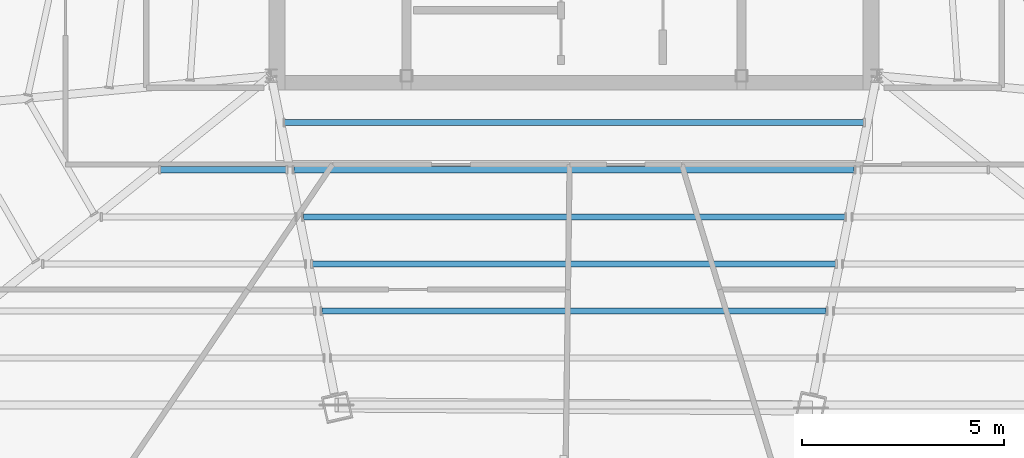
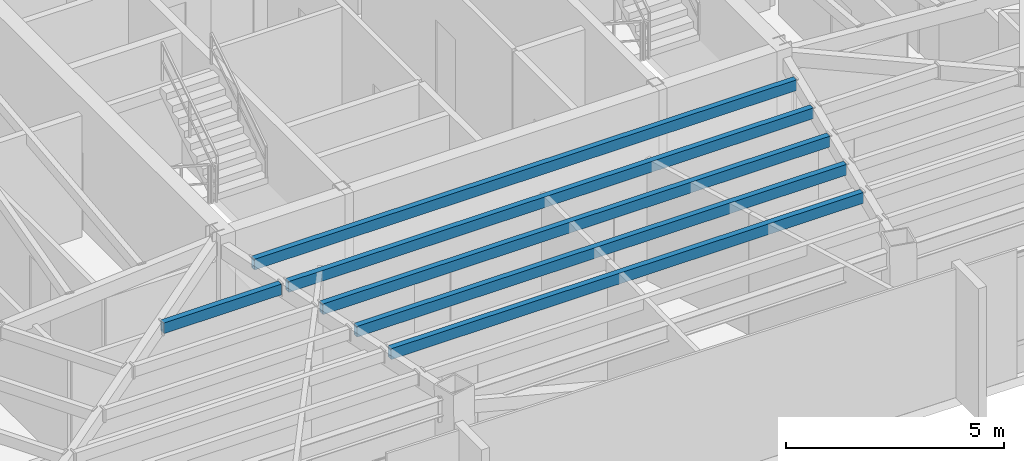
# One storey, part 16 of 47: 6 beams.
"""IFC4 building model written with IfcOpenShell, lengths in metres."""

from ifc_helpers import new_model, si_unit, direction, frame, origin, origin_2d, place, context, subcontext, project, spatial, hollow_rectangle, extrude, source, transform, mapped, material, material_profile, profile_set, type_object, type_shapes, element, save


model = new_model("IFC4")

# Units and contexts
model_context = context("Model", 3, precision=1e-05, world=origin(), true_north=direction((0.0, 1.0)))
body_context = subcontext(model_context, "Body", "Model", "MODEL_VIEW")
ifc_project = project(units=[si_unit("LENGTHUNIT", "METRE"), si_unit("AREAUNIT", "SQUARE_METRE"), si_unit("VOLUMEUNIT", "CUBIC_METRE"), si_unit("PLANEANGLEUNIT", "RADIAN"), si_unit("MASSUNIT", "GRAM", prefix="KILO")], contexts=[model_context])

# Site, building, storey
site_placement = place(None, origin())
site = spatial("IfcSite", under=ifc_project, at=site_placement, CompositionType="ELEMENT")
building_placement = place(site_placement, origin())
building = spatial("IfcBuilding", under=site, at=building_placement, Name="Caelisora Broadcast Tower", CompositionType="ELEMENT")
storey_placement = place(building_placement, frame((0.0, 0.0, 248.10009765625)))
storey = spatial("IfcBuildingStorey", under=building, at=storey_placement, Name="L65", CompositionType="ELEMENT", Elevation=248.10009765625)

# Beams
ifc_material = material(Name="Steel Grade 350 (AS/NZS 1163 C350L0)", Category="steel")
ifc_material_profile = material_profile(ifc_material, hollow_rectangle(XDim=0.14990234375, YDim=0.300048828125, WallThickness=0.010009765625, at=origin_2d()), Name="Steel Grade 350 (AS/NZS 1163 C350L0)")
ifc_profile_set = profile_set([ifc_material_profile], Name="Steel Grade 350 (AS/NZS 1163 C350L0)")
beam_type = type_object("IfcBeamType", Name="SB05", PredefinedType="JOIST", material=ifc_profile_set)
shared_shape_1 = source(origin(), body_context, "Body", "SweptSolid", [
    extrude(hollow_rectangle(XDim=0.14990234375, YDim=0.300048828125, WallThickness=0.010009765625, at=origin_2d()), origin(), (0.0, 0.0, 1.0), 3.1064453125),
])
beam_1_placement = place(storey_placement, frame((27.75634765625, 15.068603515625, 3.25), z_axis=(1.0, 0.0, 0.0), x_axis=(0.0, 1.0, 0.0)))
element("IfcBeam", 1, at=beam_1_placement, inside=storey, type_object=beam_type, Name="L65 beam SB05", PredefinedType="JOIST", context=body_context, shape_type="MappedRepresentation", body=[
    mapped(shared_shape_1, transform((0.0, 0.0, 0.0), scale=1.0)),
])
shared_shape_2 = source(origin(), body_context, "Body", "SweptSolid", [
    extrude(hollow_rectangle(XDim=0.14990234375, YDim=0.300048828125, WallThickness=0.010009765625, at=origin_2d()), origin(), (0.0, 0.0, 1.0), 14.34033203125),
])
beam_2_placement = place(storey_placement, frame((30.829833984375, 16.234375, 3.25), z_axis=(1.0, 0.0, 0.0), x_axis=(0.0, 1.0, 0.0)))
element("IfcBeam", 2, at=beam_2_placement, inside=storey, type_object=beam_type, Name="L65 beam SB05", PredefinedType="JOIST", context=body_context, shape_type="MappedRepresentation", body=[
    mapped(shared_shape_2, transform((0.0, 0.0, 0.0), scale=1.0)),
])
shared_shape_3 = source(origin(), body_context, "Body", "SweptSolid", [
    extrude(hollow_rectangle(XDim=0.14990234375, YDim=0.300048828125, WallThickness=0.010009765625, at=origin_2d()), origin(), (0.0, 0.0, 1.0), 13.87841796875),
])
beam_3_placement = place(storey_placement, frame((31.060791015625, 15.068603515625, 3.25), z_axis=(1.0, 0.0, 0.0), x_axis=(0.0, 1.0, 0.0)))
element("IfcBeam", 3, at=beam_3_placement, inside=storey, type_object=beam_type, Name="L65 beam SB05", PredefinedType="JOIST", context=body_context, shape_type="MappedRepresentation", body=[
    mapped(shared_shape_3, transform((0.0, 0.0, 0.0), scale=1.0)),
])
shared_shape_4 = source(origin(), body_context, "Body", "SweptSolid", [
    extrude(hollow_rectangle(XDim=0.14990234375, YDim=0.300048828125, WallThickness=0.010009765625, at=origin_2d()), origin(), (0.0, 0.0, 1.0), 13.4169921875),
])
beam_4_placement = place(storey_placement, frame((31.29150390625, 13.90283203125, 3.25), z_axis=(1.0, 0.0, 0.0), x_axis=(0.0, 1.0, 0.0)))
element("IfcBeam", 4, at=beam_4_placement, inside=storey, type_object=beam_type, Name="L65 beam SB05", PredefinedType="JOIST", context=body_context, shape_type="MappedRepresentation", body=[
    mapped(shared_shape_4, transform((0.0, 0.0, 0.0), scale=1.0)),
])
shared_shape_5 = source(origin(), body_context, "Body", "SweptSolid", [
    extrude(hollow_rectangle(XDim=0.14990234375, YDim=0.300048828125, WallThickness=0.010009765625, at=origin_2d()), origin(), (0.0, 0.0, 1.0), 12.955078125),
])
beam_5_placement = place(storey_placement, frame((31.5224609375, 12.737060546875, 3.25), z_axis=(1.0, 0.0, 0.0), x_axis=(0.0, 1.0, 0.0)))
element("IfcBeam", 5, at=beam_5_placement, inside=storey, type_object=beam_type, Name="L65 beam SB05", PredefinedType="JOIST", context=body_context, shape_type="MappedRepresentation", body=[
    mapped(shared_shape_5, transform((0.0, 0.0, 0.0), scale=1.0)),
])
shared_shape_6 = source(origin(), body_context, "Body", "SweptSolid", [
    extrude(hollow_rectangle(XDim=0.14990234375, YDim=0.300048828125, WallThickness=0.010009765625, at=origin_2d()), origin(), (0.0, 0.0, 1.0), 12.4931640625),
])
type_shapes(beam_type, [shared_shape_1, shared_shape_2, shared_shape_3, shared_shape_4, shared_shape_5, shared_shape_6])
beam_6_placement = place(storey_placement, frame((31.75341796875, 11.5712890625, 3.25), z_axis=(1.0, 0.0, 0.0), x_axis=(0.0, 1.0, 0.0)))
element("IfcBeam", 6, at=beam_6_placement, inside=storey, type_object=beam_type, Name="L65 beam SB05", PredefinedType="JOIST", context=body_context, shape_type="MappedRepresentation", body=[
    mapped(shared_shape_6, transform((0.0, 0.0, 0.0), scale=1.0)),
])

save(model, "model.ifc")
